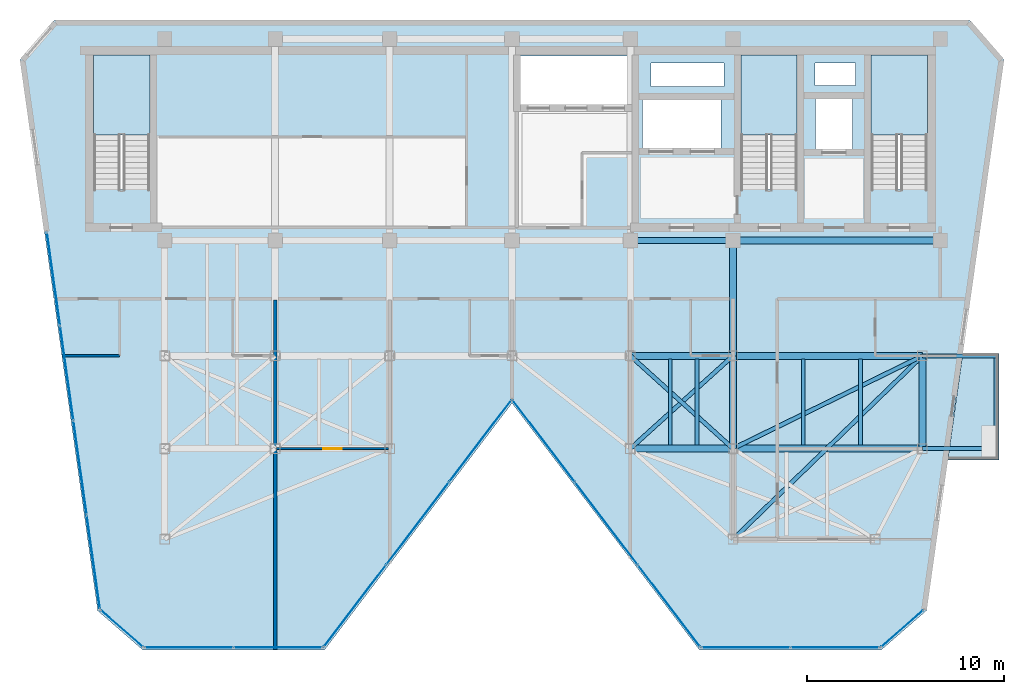
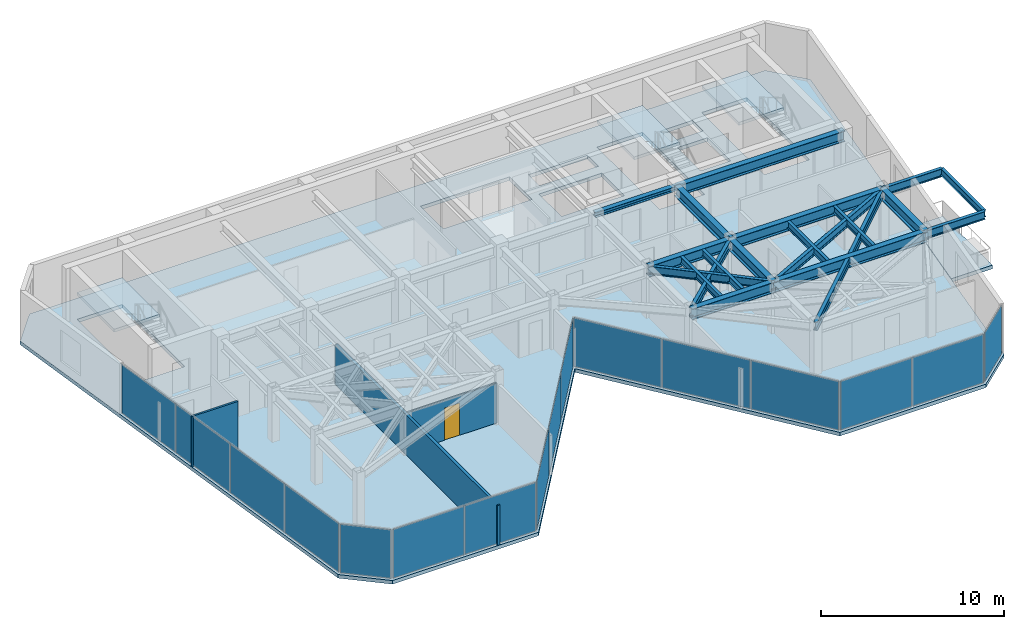
# One storey, part 15 of 20: 20 beams, 16 plates, 5 slabs, 3 walls, 1 door, 1 opening, 10 elements without a shape of their own.
"""IFC4 building model written with IfcOpenShell, lengths in metres."""

from ifc_helpers import new_model, si_unit, direction, frame, frame_2d, origin, origin_2d, place, context, subcontext, project, spatial, polyline, rectangle, i_section, outline, extrude, material, layer, layer_set, material_profile, profile_set, type_object, element, fill, aggregate, save


model = new_model("IFC4")

# Units and contexts
model_context = context("Model", 3, precision=1e-05, world=origin(), true_north=direction((0.0, 1.0)))
body_context = subcontext(model_context, "Body", "Model", "MODEL_VIEW")
ifc_project = project(units=[si_unit("LENGTHUNIT", "METRE"), si_unit("AREAUNIT", "SQUARE_METRE"), si_unit("VOLUMEUNIT", "CUBIC_METRE"), si_unit("PLANEANGLEUNIT", "RADIAN"), si_unit("MASSUNIT", "GRAM", prefix="KILO")], contexts=[model_context])

# Site, building, storey
site_placement = place(None, origin())
site = spatial("IfcSite", under=ifc_project, at=site_placement, CompositionType="ELEMENT")
building_placement = place(site_placement, origin())
building = spatial("IfcBuilding", under=site, at=building_placement, Name="Kravanh Interchange Tower", CompositionType="ELEMENT")
storey_placement = place(building_placement, frame((0.0, 0.0, 234.60009765625)))
storey = spatial("IfcBuildingStorey", under=building, at=storey_placement, Name="L56", CompositionType="ELEMENT", Elevation=234.60009765625)

# Beams
ifc_material_1 = material(Name="Structural Steel S355", Category="steel")
ifc_material_profile_1 = material_profile(ifc_material_1, i_section(OverallWidth=0.35498046875, OverallDepth=0.696044921875, WebThickness=0.015380859375, FlangeThickness=0.02490234375, FilletRadius=0.02392578125, at=origin_2d()), Name="W27X146")
ifc_profile_set_1 = profile_set([ifc_material_profile_1], Name="Structural Steel S355")
beam_type_1 = type_object("IfcBeamType", Name="Floor Beam W27X146 Structural Steel S355", PredefinedType="BEAM", material=ifc_profile_set_1)
beam_1_placement = place(storey_placement, frame((50.800048828125, 31.5, 3.011962890625), z_axis=(1.0, 0.0, 0.0), x_axis=(0.0, 1.0, 0.0)))
element("IfcBeam", 1, at=beam_1_placement, inside=storey, type_object=beam_type_1, Name="L56 Primary Floor Girder 6", PredefinedType="BEAM", context=body_context, shape_type="SweptSolid", body=[
    extrude(i_section(OverallWidth=0.35498046875, OverallDepth=0.696044921875, WebThickness=0.015380859375, FlangeThickness=0.02490234375, FilletRadius=0.02392578125, at=origin_2d()), origin(), (0.0, 0.0, 1.0), 5.199951171875),
])
beam_2_placement = place(storey_placement, frame((56.0, 31.5, 3.011962890625), z_axis=(0.0, -1.0, 0.0), x_axis=(1.0, 0.0, 0.0)))
element("IfcBeam", 2, at=beam_2_placement, inside=storey, type_object=beam_type_1, Name="L56 Primary Floor Girder 9", PredefinedType="BEAM", context=body_context, shape_type="SweptSolid", body=[
    extrude(i_section(OverallWidth=0.35498046875, OverallDepth=0.696044921875, WebThickness=0.015380859375, FlangeThickness=0.02490234375, FilletRadius=0.02392578125, at=origin_2d()), origin(), (0.0, 0.0, 1.0), 4.699951171875),
])
beam_3_placement = place(storey_placement, frame((56.0, 31.5, 3.011962890625), z_axis=(0.0, 1.0, 0.0), x_axis=(-1.0, 0.0, 0.0)))
element("IfcBeam", 3, at=beam_3_placement, inside=storey, type_object=beam_type_1, Name="L56 Primary Floor Girder 10", PredefinedType="BEAM", context=body_context, shape_type="SweptSolid", body=[
    extrude(i_section(OverallWidth=0.35498046875, OverallDepth=0.696044921875, WebThickness=0.015380859375, FlangeThickness=0.02490234375, FilletRadius=0.02392578125, at=origin_2d()), origin(), (0.0, 0.0, 1.0), 5.85009765625),
])
beam_4_placement = place(storey_placement, frame((56.0, 31.5, 3.011962890625), z_axis=(1.0, 0.0, 0.0), x_axis=(0.0, 1.0, 0.0)))
element("IfcBeam", 4, at=beam_4_placement, inside=storey, type_object=beam_type_1, Name="L56 Primary Floor Girder 12", PredefinedType="BEAM", context=body_context, shape_type="SweptSolid", body=[
    extrude(i_section(OverallWidth=0.35498046875, OverallDepth=0.696044921875, WebThickness=0.015380859375, FlangeThickness=0.02490234375, FilletRadius=0.02392578125, at=origin_2d()), origin(), (0.0, 0.0, 1.0), 9.60009765625),
])
beam_5_placement = place(storey_placement, frame((65.60009765625, 31.5, 3.011962890625), z_axis=(0.0, -1.0, 0.0), x_axis=(1.0, 0.0, 0.0)))
element("IfcBeam", 5, at=beam_5_placement, inside=storey, type_object=beam_type_1, Name="L56 Primary Floor Girder 13", PredefinedType="BEAM", context=body_context, shape_type="SweptSolid", body=[
    extrude(i_section(OverallWidth=0.35498046875, OverallDepth=0.696044921875, WebThickness=0.015380859375, FlangeThickness=0.02490234375, FilletRadius=0.02392578125, at=origin_2d()), origin(), (0.0, 0.0, 1.0), 4.699951171875),
])
beam_6_placement = place(storey_placement, frame((50.800048828125, 26.800048828125, 3.011962890625), z_axis=(1.0, 0.0, 0.0), x_axis=(0.0, 1.0, 0.0)))
element("IfcBeam", 6, at=beam_6_placement, inside=storey, type_object=beam_type_1, Name="L56 Primary Floor Girder 31", PredefinedType="BEAM", context=body_context, shape_type="SweptSolid", body=[
    extrude(i_section(OverallWidth=0.35498046875, OverallDepth=0.696044921875, WebThickness=0.015380859375, FlangeThickness=0.02490234375, FilletRadius=0.02392578125, at=origin_2d()), origin(), (0.0, 0.0, 1.0), 5.199951171875),
])
beam_7_placement = place(storey_placement, frame((56.0, 26.800048828125, 3.011962890625), z_axis=(1.0, 0.0, 0.0), x_axis=(0.0, 1.0, 0.0)))
element("IfcBeam", 7, at=beam_7_placement, inside=storey, type_object=beam_type_1, Name="L56 Primary Floor Girder 36", PredefinedType="BEAM", context=body_context, shape_type="SweptSolid", body=[
    extrude(i_section(OverallWidth=0.35498046875, OverallDepth=0.696044921875, WebThickness=0.015380859375, FlangeThickness=0.02490234375, FilletRadius=0.02392578125, at=origin_2d()), origin(), (0.0, 0.0, 1.0), 9.60009765625),
])
beam_8_placement = place(storey_placement, frame((66.5, 37.35009765625, 3.011962890625), z_axis=(-1.0, 0.0, 0.0), x_axis=(0.0, -1.0, 0.0)))
element("IfcBeam", 8, at=beam_8_placement, inside=storey, type_object=beam_type_1, Name="L56 Primary Floor Girder 47", PredefinedType="BEAM", context=body_context, shape_type="SweptSolid", body=[
    extrude(i_section(OverallWidth=0.35498046875, OverallDepth=0.696044921875, WebThickness=0.015380859375, FlangeThickness=0.02490234375, FilletRadius=0.02392578125, at=origin_2d()), origin(), (0.0, 0.0, 1.0), 10.5),
])
ifc_material_2 = material(Name="Structural Steel S355", Category="steel")
ifc_material_profile_2 = material_profile(ifc_material_2, i_section(OverallWidth=0.18994140625, OverallDepth=0.45703125, WebThickness=0.009033203125, FlangeThickness=0.014404296875, FilletRadius=0.01806640625, at=origin_2d()), Name="W18X50")
ifc_profile_set_2 = profile_set([ifc_material_profile_2], Name="Structural Steel S355")
beam_type_2 = type_object("IfcBeamType", Name="Floor Joist W18X50 Structural Steel S355", PredefinedType="JOIST", material=ifc_profile_set_2)
for number, where, z_axis, x_axis, name in (
    (9, (52.81494140625, 26.972412109375, 3.13134765625), (0.0, 1.0, 0.0), (-1.0, 0.0, 0.0), "L56 Secondary Floor Joist 7"),
    (10, (54.179931640625, 26.972412109375, 3.13134765625), (0.0, 1.0, 0.0), (-1.0, 0.0, 0.0), "L56 Secondary Floor Joist 8"),
    (11, (59.554931640625, 26.972412109375, 3.13134765625), (0.0, 1.0, 0.0), (-1.0, 0.0, 0.0), "L56 Secondary Floor Joist 9"),
    (12, (62.4599609375, 26.972412109375, 3.13134765625), (0.0, 1.0, 0.0), (-1.0, 0.0, 0.0), "L56 Secondary Floor Joist 10"),
):
    element("IfcBeam", number, at=place(storey_placement, frame(where, z_axis=z_axis, x_axis=x_axis)), inside=storey, type_object=beam_type_2, Name=name, PredefinedType="JOIST", context=body_context, shape_type="SweptSolid", body=[
        extrude(i_section(OverallWidth=0.18994140625, OverallDepth=0.45703125, WebThickness=0.009033203125, FlangeThickness=0.014404296875, FilletRadius=0.01806640625, at=origin_2d()), origin(), (0.0, 0.0, 1.0), 4.35498046875),
    ])
beam_9_placement = place(storey_placement, frame((69.324951171875, 26.800048828125, 3.13134765625), z_axis=(0.0, 1.0, 0.0), x_axis=(-1.0, 0.0, 0.0)))
element("IfcBeam", 13, at=beam_9_placement, inside=storey, type_object=beam_type_2, Name="L56 Balcony Edge Tie Beam E", PredefinedType="JOIST", context=body_context, shape_type="SweptSolid", body=[
    extrude(i_section(OverallWidth=0.18994140625, OverallDepth=0.45703125, WebThickness=0.009033203125, FlangeThickness=0.014404296875, FilletRadius=0.01806640625, at=origin_2d()), origin(), (0.0, 0.0, 1.0), 4.699951171875),
])
ifc_material_3 = material(Name="Structural Steel S355", Category="steel")
ifc_material_profile_3 = material_profile(ifc_material_3, i_section(OverallWidth=0.304931640625, OverallDepth=0.306884765625, WebThickness=0.010009765625, FlangeThickness=0.015380859375, FilletRadius=0.014892578125, at=origin_2d()), Name="W12X65")
ifc_profile_set_3 = profile_set([ifc_material_profile_3], Name="Structural Steel S355")
beam_type_3 = type_object("IfcBeamType", Name="Floor Lintel W12X65 Structural Steel S355", PredefinedType="LINTEL", material=ifc_profile_set_3)
beam_10_placement = place(storey_placement, frame((50.800048828125, 37.35009765625, 3.206298828125), z_axis=(1.0, 0.0, 0.0), x_axis=(0.0, 1.0, 0.0)))
element("IfcBeam", 14, at=beam_10_placement, inside=storey, type_object=beam_type_3, Name="L56 Core Coupling Lintel 1", PredefinedType="LINTEL", context=body_context, shape_type="SweptSolid", body=[
    extrude(i_section(OverallWidth=0.304931640625, OverallDepth=0.306884765625, WebThickness=0.010009765625, FlangeThickness=0.015380859375, FilletRadius=0.014892578125, at=origin_2d()), origin(), (0.0, 0.0, 1.0), 5.199951171875),
])
ifc_material_4 = material(Name="Structural Steel S355", Category="steel")
ifc_material_profile_4 = material_profile(ifc_material_4, i_section(OverallWidth=0.2099609375, OverallDepth=0.537109375, WebThickness=0.010986328125, FlangeThickness=0.017333984375, FilletRadius=0.02001953125, at=origin_2d()), Name="W21X68")
ifc_profile_set_4 = profile_set([ifc_material_profile_4], Name="Structural Steel S355")
beam_type_4 = type_object("IfcBeamType", Name="Floor Spandrel W21X68 Structural Steel S355", PredefinedType="SPANDREL", material=ifc_profile_set_4)
for number, where, z_axis, x_axis, name in (
    (15, (50.800048828125, 31.5, 3.09130859375), (0.741874009795, -0.670539300557, 0.0), (0.670539300557, 0.741874009795, 0.0), "L56 Perimeter Spandrel 8"),
    (16, (56.0, 31.5, 3.09130859375), (-0.741874009795, -0.670539300557, 0.0), (0.670539300557, -0.741874009795, 0.0), "L56 Perimeter Spandrel 11"),
):
    element("IfcBeam", number, at=place(storey_placement, frame(where, z_axis=z_axis, x_axis=x_axis)), inside=storey, type_object=beam_type_4, Name=name, PredefinedType="SPANDREL", context=body_context, shape_type="SweptSolid", body=[
        extrude(i_section(OverallWidth=0.2099609375, OverallDepth=0.537109375, WebThickness=0.010986328125, FlangeThickness=0.017333984375, FilletRadius=0.02001953125, at=origin_2d()), origin(), (0.0, 0.0, 1.0), 7.00927734375),
    ])
beam_11_placement = place(storey_placement, frame((65.60009765625, 31.5, 3.09130859375), z_axis=(-0.898141688387, -0.439706160499, 0.0), x_axis=(0.439706160499, -0.898141688387, 0.0)))
element("IfcBeam", 17, at=beam_11_placement, inside=storey, type_object=beam_type_4, Name="L56 Perimeter Spandrel 15", PredefinedType="SPANDREL", context=body_context, shape_type="SweptSolid", body=[
    extrude(i_section(OverallWidth=0.2099609375, OverallDepth=0.537109375, WebThickness=0.010986328125, FlangeThickness=0.017333984375, FilletRadius=0.02001953125, at=origin_2d()), origin(), (0.0, 0.0, 1.0), 10.68896484375),
])
beam_12_placement = place(storey_placement, frame((65.60009765625, 31.5, 3.09130859375), z_axis=(-0.718241934329, -0.695793449072, 0.0), x_axis=(0.695793449072, -0.718241934329, 0.0)))
element("IfcBeam", 18, at=beam_12_placement, inside=storey, type_object=beam_type_4, Name="L56 Perimeter Spandrel 16", PredefinedType="SPANDREL", context=body_context, shape_type="SweptSolid", body=[
    extrude(i_section(OverallWidth=0.2099609375, OverallDepth=0.537109375, WebThickness=0.010986328125, FlangeThickness=0.017333984375, FilletRadius=0.02001953125, at=origin_2d()), origin(), (0.0, 0.0, 1.0), 13.3662109375),
])
for number, where, z_axis, x_axis, name in (
    (19, (65.60009765625, 26.800048828125, 3.09130859375), (1.0, 0.0, 0.0), (0.0, 1.0, 0.0), "L56 Balcony Cantilever Outrigger E1"),
    (20, (65.60009765625, 31.5, 3.09130859375), (1.0, 0.0, 0.0), (0.0, 1.0, 0.0), "L56 Balcony Cantilever Outrigger E2"),
):
    element("IfcBeam", number, at=place(storey_placement, frame(where, z_axis=z_axis, x_axis=x_axis)), inside=storey, type_object=beam_type_4, Name=name, PredefinedType="SPANDREL", context=body_context, shape_type="SweptSolid", body=[
        extrude(i_section(OverallWidth=0.2099609375, OverallDepth=0.537109375, WebThickness=0.010986328125, FlangeThickness=0.017333984375, FilletRadius=0.02001953125, at=origin_2d()), origin(), (0.0, 0.0, 1.0), 3.724853515625),
    ])

# Curtain wall, plates
ifc_material_5 = material(Name="Anodised Bronze Aluminium", Category="aluminium")
ifc_layer_1 = layer(ifc_material_5, 0.179931640625)
ifc_layer_set_1 = layer_set([ifc_layer_1], Name="Unitised Curtain Wall System CW-HTL Luxury Hotel")
curtain_wall_type = type_object("IfcCurtainWallType", Name="Unitised Curtain Wall System CW-HTL Luxury Hotel", PredefinedType="NOTDEFINED", material=ifc_layer_set_1)
curtain_wall_1_placement = place(storey_placement, origin())
curtain_wall_1 = element("IfcCurtainWall", 21, at=curtain_wall_1_placement, inside=storey, type_object=curtain_wall_type, Name="L56 Unitised Curtain Wall CW-L56-01", PredefinedType="NOTDEFINED")
ifc_material_6 = material(Name="Low-E Laminated Architectural Glass", Category="glass")
ifc_layer_2 = layer(ifc_material_6, 0.030029296875)
ifc_layer_set_2 = layer_set([ifc_layer_2], Name="Acoustic Laminated Glazing 30mm")
plate_type = type_object("IfcPlateType", Name="Acoustic Laminated Glazing 30mm", PredefinedType="CURTAIN_PANEL", material=ifc_layer_set_2)
plate_1_placement = place(storey_placement, frame((23.578857421875, 21.05126953125, 0.06005859375), z_axis=(0.0, 0.0, 1.0), x_axis=(-0.13917626751, 0.990267623707, 0.0)))
plate_1 = element("IfcPlate", 22, at=plate_1_placement, type_object=plate_type, Name="CW-HTL panel 1.1", PredefinedType="CURTAIN_PANEL", context=body_context, shape_type="SweptSolid", body=[
    extrude(rectangle(XDim=4.74658203125, YDim=0.030029296875, at=origin_2d()), origin(), (0.0, 0.0, 1.0), 3.239990234375),
])
plate_2_placement = place(storey_placement, frame((22.90771484375, 25.825927734375, 0.06005859375), z_axis=(0.0, 0.0, 1.0), x_axis=(-0.13917626751, 0.990267623707, 0.0)))
plate_2 = element("IfcPlate", 23, at=plate_2_placement, type_object=plate_type, Name="CW-HTL panel 2.1", PredefinedType="CURTAIN_PANEL", context=body_context, shape_type="SweptSolid", body=[
    extrude(rectangle(XDim=4.776611328125, YDim=0.030029296875, at=origin_2d()), origin(), (0.0, 0.0, 1.0), 3.239990234375),
])
plate_3_placement = place(storey_placement, frame((22.234619140625, 30.615478515625, 0.06005859375), z_axis=(0.0, 0.0, 1.0), x_axis=(-0.13917626751, 0.990267623707, 0.0)))
plate_3 = element("IfcPlate", 24, at=plate_3_placement, type_object=plate_type, Name="CW-HTL panel 3.1", PredefinedType="CURTAIN_PANEL", context=body_context, shape_type="SweptSolid", body=[
    extrude(rectangle(XDim=4.776611328125, YDim=0.030029296875, at=origin_2d()), origin(), (0.0, 0.0, 1.0), 3.239990234375),
])
plate_4_placement = place(storey_placement, frame((21.5634765625, 35.390380859375, 0.06005859375), z_axis=(0.0, 0.0, 1.0), x_axis=(-0.13917626751, 0.990267623707, 0.0)))
plate_4 = element("IfcPlate", 25, at=plate_4_placement, type_object=plate_type, Name="CW-HTL panel 4.1", PredefinedType="CURTAIN_PANEL", context=body_context, shape_type="SweptSolid", body=[
    extrude(rectangle(XDim=4.74658203125, YDim=0.030029296875, at=origin_2d()), origin(), (0.0, 0.0, 1.0), 3.239990234375),
])
aggregate(curtain_wall_1, [plate_1, plate_2, plate_3, plate_4])

# Curtain wall, plate
curtain_wall_2_placement = place(storey_placement, origin())
curtain_wall_2 = element("IfcCurtainWall", 26, at=curtain_wall_2_placement, inside=storey, type_object=curtain_wall_type, Name="L56 Unitised Curtain Wall CW-L56-02", PredefinedType="NOTDEFINED")
plate_5_placement = place(storey_placement, frame((64.5771484375, 17.680908203125, 0.06005859375), z_axis=(0.0, 0.0, 1.0), x_axis=(-0.75473192521, -0.656033323139, 0.0)))
plate_5 = element("IfcPlate", 27, at=plate_5_placement, type_object=plate_type, Name="CW-HTL panel 1.1", PredefinedType="CURTAIN_PANEL", context=body_context, shape_type="SweptSolid", body=[
    extrude(rectangle(XDim=2.80908203125, YDim=0.030029296875, at=origin_2d()), origin(), (0.0, 0.0, 1.0), 3.239990234375),
])
aggregate(curtain_wall_2, [plate_5])

# Curtain wall, plates
curtain_wall_3_placement = place(storey_placement, origin())
curtain_wall_3 = element("IfcCurtainWall", 28, at=curtain_wall_3_placement, inside=storey, type_object=curtain_wall_type, Name="L56 Unitised Curtain Wall CW-L56-03", PredefinedType="NOTDEFINED")
plate_6_placement = place(storey_placement, frame((61.1787109375, 16.719970703125, 0.06005859375), z_axis=(0.0, 0.0, 1.0), x_axis=(-1.0, 0.0, 0.0)))
plate_6 = element("IfcPlate", 29, at=plate_6_placement, type_object=plate_type, Name="CW-HTL panel 1.1", PredefinedType="CURTAIN_PANEL", context=body_context, shape_type="SweptSolid", body=[
    extrude(rectangle(XDim=4.466064453125, YDim=0.030029296875, at=origin_2d()), origin(), (0.0, 0.0, 1.0), 3.239990234375),
])
plate_7_placement = place(storey_placement, frame((56.652587890625, 16.719970703125, 0.06005859375), z_axis=(0.0, 0.0, 1.0), x_axis=(-1.0, 0.0, 0.0)))
plate_7 = element("IfcPlate", 30, at=plate_7_placement, type_object=plate_type, Name="CW-HTL panel 2.1", PredefinedType="CURTAIN_PANEL", context=body_context, shape_type="SweptSolid", body=[
    extrude(rectangle(XDim=4.466064453125, YDim=0.030029296875, at=origin_2d()), origin(), (0.0, 0.0, 1.0), 3.239990234375),
])
aggregate(curtain_wall_3, [plate_6, plate_7])

curtain_wall_4_placement = place(storey_placement, origin())
curtain_wall_4 = element("IfcCurtainWall", 31, at=curtain_wall_4_placement, inside=storey, type_object=curtain_wall_type, Name="L56 Unitised Curtain Wall CW-L56-04", PredefinedType="NOTDEFINED")
plate_8_placement = place(storey_placement, frame((52.757080078125, 18.828369140625, 0.06005859375), z_axis=(0.0, 0.0, 1.0), x_axis=(-0.605082946564, 0.79616243806, 0.0)))
plate_8 = element("IfcPlate", 32, at=plate_8_placement, type_object=plate_type, Name="CW-HTL panel 1.1", PredefinedType="CURTAIN_PANEL", context=body_context, shape_type="SweptSolid", body=[
    extrude(rectangle(XDim=5.17626953125, YDim=0.030029296875, at=origin_2d()), origin(), (0.0, 0.0, 1.0), 3.239990234375),
])
plate_9_placement = place(storey_placement, frame((49.579833984375, 23.009033203125, 0.06005859375), z_axis=(0.0, 0.0, 1.0), x_axis=(-0.605082946564, 0.79616243806, 0.0)))
plate_9 = element("IfcPlate", 33, at=plate_9_placement, type_object=plate_type, Name="CW-HTL panel 2.1", PredefinedType="CURTAIN_PANEL", context=body_context, shape_type="SweptSolid", body=[
    extrude(rectangle(XDim=5.206298828125, YDim=0.030029296875, at=origin_2d()), origin(), (0.0, 0.0, 1.0), 3.239990234375),
])
plate_10_placement = place(storey_placement, frame((46.40234375, 27.18994140625, 0.06005859375), z_axis=(0.0, 0.0, 1.0), x_axis=(-0.605082946564, 0.79616243806, 0.0)))
plate_10 = element("IfcPlate", 34, at=plate_10_placement, type_object=plate_type, Name="CW-HTL panel 3.1", PredefinedType="CURTAIN_PANEL", context=body_context, shape_type="SweptSolid", body=[
    extrude(rectangle(XDim=5.17626953125, YDim=0.030029296875, at=origin_2d()), origin(), (0.0, 0.0, 1.0), 3.239990234375),
])
aggregate(curtain_wall_4, [plate_8, plate_9, plate_10])

curtain_wall_5_placement = place(storey_placement, origin())
curtain_wall_5 = element("IfcCurtainWall", 35, at=curtain_wall_5_placement, inside=storey, type_object=curtain_wall_type, Name="L56 Unitised Curtain Wall CW-L56-05", PredefinedType="NOTDEFINED")
plate_11_placement = place(storey_placement, frame((43.19775390625, 27.18994140625, 0.06005859375), z_axis=(0.0, 0.0, 1.0), x_axis=(-0.605082946564, -0.79616243806, 0.0)))
plate_11 = element("IfcPlate", 36, at=plate_11_placement, type_object=plate_type, Name="CW-HTL panel 1.1", PredefinedType="CURTAIN_PANEL", context=body_context, shape_type="SweptSolid", body=[
    extrude(rectangle(XDim=5.17626953125, YDim=0.030029296875, at=origin_2d()), origin(), (0.0, 0.0, 1.0), 3.239990234375),
])
plate_12_placement = place(storey_placement, frame((40.020263671875, 23.009033203125, 0.06005859375), z_axis=(0.0, 0.0, 1.0), x_axis=(-0.605082946564, -0.79616243806, 0.0)))
plate_12 = element("IfcPlate", 37, at=plate_12_placement, type_object=plate_type, Name="CW-HTL panel 2.1", PredefinedType="CURTAIN_PANEL", context=body_context, shape_type="SweptSolid", body=[
    extrude(rectangle(XDim=5.206298828125, YDim=0.030029296875, at=origin_2d()), origin(), (0.0, 0.0, 1.0), 3.239990234375),
])
plate_13_placement = place(storey_placement, frame((36.8427734375, 18.828369140625, 0.06005859375), z_axis=(0.0, 0.0, 1.0), x_axis=(-0.605082946564, -0.79616243806, 0.0)))
plate_13 = element("IfcPlate", 38, at=plate_13_placement, type_object=plate_type, Name="CW-HTL panel 3.1", PredefinedType="CURTAIN_PANEL", context=body_context, shape_type="SweptSolid", body=[
    extrude(rectangle(XDim=5.17626953125, YDim=0.030029296875, at=origin_2d()), origin(), (0.0, 0.0, 1.0), 3.239990234375),
])
aggregate(curtain_wall_5, [plate_11, plate_12, plate_13])

curtain_wall_6_placement = place(storey_placement, origin())
curtain_wall_6 = element("IfcCurtainWall", 39, at=curtain_wall_6_placement, inside=storey, type_object=curtain_wall_type, Name="L56 Unitised Curtain Wall CW-L56-06", PredefinedType="NOTDEFINED")
plate_14_placement = place(storey_placement, frame((32.947509765625, 16.719970703125, 0.06005859375), z_axis=(0.0, 0.0, 1.0), x_axis=(-1.0, 0.0, 0.0)))
plate_14 = element("IfcPlate", 40, at=plate_14_placement, type_object=plate_type, Name="CW-HTL panel 1.1", PredefinedType="CURTAIN_PANEL", context=body_context, shape_type="SweptSolid", body=[
    extrude(rectangle(XDim=4.466064453125, YDim=0.030029296875, at=origin_2d()), origin(), (0.0, 0.0, 1.0), 3.239990234375),
])
plate_15_placement = place(storey_placement, frame((28.42138671875, 16.719970703125, 0.06005859375), z_axis=(0.0, 0.0, 1.0), x_axis=(-1.0, 0.0, 0.0)))
plate_15 = element("IfcPlate", 41, at=plate_15_placement, type_object=plate_type, Name="CW-HTL panel 2.1", PredefinedType="CURTAIN_PANEL", context=body_context, shape_type="SweptSolid", body=[
    extrude(rectangle(XDim=4.466064453125, YDim=0.030029296875, at=origin_2d()), origin(), (0.0, 0.0, 1.0), 3.239990234375),
])
aggregate(curtain_wall_6, [plate_14, plate_15])

# Curtain wall, plate
curtain_wall_7_placement = place(storey_placement, origin())
curtain_wall_7 = element("IfcCurtainWall", 42, at=curtain_wall_7_placement, inside=storey, type_object=curtain_wall_type, Name="L56 Unitised Curtain Wall CW-L56-07", PredefinedType="NOTDEFINED")
plate_16_placement = place(storey_placement, frame((25.02294921875, 17.680908203125, 0.06005859375), z_axis=(0.0, 0.0, 1.0), x_axis=(-0.75473192521, 0.656033323139, 0.0)))
plate_16 = element("IfcPlate", 43, at=plate_16_placement, type_object=plate_type, Name="CW-HTL panel 1.1", PredefinedType="CURTAIN_PANEL", context=body_context, shape_type="SweptSolid", body=[
    extrude(rectangle(XDim=2.80908203125, YDim=0.030029296875, at=origin_2d()), origin(), (0.0, 0.0, 1.0), 3.239990234375),
])
aggregate(curtain_wall_7, [plate_16])

# Slab
ifc_material_7 = material(Name="Concrete C50/60", Category="concrete")
ifc_layer_3 = layer(ifc_material_7, 0.239990234375)
ifc_layer_set_3 = layer_set([ifc_layer_3], Name="Composite Floor Slab Concrete C50/60 240mm")
slab_type_1 = type_object("IfcSlabType", Name="Composite Floor Slab Concrete C50/60 240mm", PredefinedType="FLOOR", material=ifc_layer_set_3)
slab_1_placement = place(storey_placement, frame((0.0, 0.0, -0.239990234375)))
element("IfcSlab", 44, at=slab_1_placement, inside=storey, type_object=slab_type_1, Name="L56 Structural Floor Slab", PredefinedType="FLOOR", context=body_context, shape_type="SweptSolid", body=[
    extrude(outline(polyline([(23.804931640625, 18.58056640625), (26.083251953125, 16.60009765625), (35.300048828125, 16.60009765625), (44.800048828125, 29.10009765625), (54.300048828125, 16.60009765625), (63.5166015625, 16.60009765625), (65.795166015625, 18.58056640625), (69.7216796875, 46.51953125), (68.0, 48.5), (21.60009765625, 48.5), (19.87841796875, 46.51953125), (23.804931640625, 18.58056640625)]), holes=[polyline([(65.85009765625, 39.925048828125), (65.85009765625, 46.75), (63.0, 46.75), (63.0, 39.925048828125), (65.85009765625, 39.925048828125)]), polyline([(59.25, 39.925048828125), (59.25, 46.75), (56.39990234375, 46.75), (56.39990234375, 39.925048828125), (59.25, 39.925048828125)]), polyline([(26.449951171875, 39.925048828125), (26.449951171875, 46.75), (23.60009765625, 46.75), (23.60009765625, 39.925048828125), (26.449951171875, 39.925048828125)]), polyline([(45.239990234375, 44.219970703125), (50.840087890625, 44.219970703125), (50.840087890625, 46.699951171875), (45.239990234375, 46.699951171875), (45.239990234375, 44.219970703125)]), polyline([(51.419921875, 42.02001953125), (55.3798828125, 42.02001953125), (55.3798828125, 44.47998046875), (51.419921875, 44.47998046875), (51.419921875, 42.02001953125)]), polyline([(60.179931640625, 41.97998046875), (62.06005859375, 41.97998046875), (62.06005859375, 44.52001953125), (60.179931640625, 44.52001953125), (60.179931640625, 41.97998046875)]), polyline([(60.14990234375, 45.199951171875), (62.199951171875, 45.199951171875), (62.199951171875, 46.35009765625), (60.14990234375, 46.35009765625), (60.14990234375, 45.199951171875)]), polyline([(51.85009765625, 45.14990234375), (55.550048828125, 45.14990234375), (55.550048828125, 46.35009765625), (51.85009765625, 46.35009765625), (51.85009765625, 45.14990234375)])]), origin(), (0.0, 0.0, 1.0), 0.239990234375),
])

# Stair, slab
ifc_material_8 = material(Name="Concrete C50/60", Category="concrete")
stair_type = type_object("IfcStairType", Name="Core Fire Exit Dogleg Stair Concrete C50/60", PredefinedType="HALF_TURN_STAIR", material=ifc_material_8)
stair_1_placement = place(storey_placement, origin())
stair_1 = element("IfcStair", 45, at=stair_1_placement, inside=storey, type_object=stair_type, Name="L56 Exit Stair ST1", PredefinedType="HALF_TURN_STAIR")
ifc_material_9 = material(Name="Concrete C50/60", Category="concrete")
ifc_layer_4 = layer(ifc_material_9, 0.199951171875)
ifc_layer_set_4 = layer_set([ifc_layer_4], Name="Concrete C50/60 Stair Half-Landing Slab 200mm")
slab_type_2 = type_object("IfcSlabType", Name="Concrete C50/60 Stair Half-Landing Slab 200mm", PredefinedType="LANDING", material=ifc_layer_set_4)
slab_2_placement = place(storey_placement, frame((0.0, 0.0, 1.599853515625)))
slab_2 = element("IfcSlab", 46, at=slab_2_placement, type_object=slab_type_2, Name="ST1 landing 1", PredefinedType="LANDING", context=body_context, shape_type="SweptSolid", body=[
    extrude(outline(polyline([(65.85009765625, 42.699951171875), (65.85009765625, 46.75), (63.0, 46.75), (63.0, 42.699951171875), (65.85009765625, 42.699951171875)])), origin(), (0.0, 0.0, 1.0), 0.199951171875),
])
aggregate(stair_1, [slab_2])

stair_2_placement = place(storey_placement, origin())
stair_2 = element("IfcStair", 47, at=stair_2_placement, inside=storey, type_object=stair_type, Name="L56 Exit Stair ST2", PredefinedType="HALF_TURN_STAIR")
slab_3_placement = place(storey_placement, frame((0.0, 0.0, 1.599853515625)))
slab_3 = element("IfcSlab", 48, at=slab_3_placement, type_object=slab_type_2, Name="ST2 landing 1", PredefinedType="LANDING", context=body_context, shape_type="SweptSolid", body=[
    extrude(outline(polyline([(59.25, 42.699951171875), (59.25, 46.75), (56.39990234375, 46.75), (56.39990234375, 42.699951171875), (59.25, 42.699951171875)])), origin(), (0.0, 0.0, 1.0), 0.199951171875),
])
aggregate(stair_2, [slab_3])

stair_3_placement = place(storey_placement, origin())
stair_3 = element("IfcStair", 49, at=stair_3_placement, inside=storey, type_object=stair_type, Name="L56 Exit Stair ST3", PredefinedType="HALF_TURN_STAIR")
slab_4_placement = place(storey_placement, frame((0.0, 0.0, 1.599853515625)))
slab_4 = element("IfcSlab", 50, at=slab_4_placement, type_object=slab_type_2, Name="ST3 landing 1", PredefinedType="LANDING", context=body_context, shape_type="SweptSolid", body=[
    extrude(outline(polyline([(26.449951171875, 42.699951171875), (26.449951171875, 46.75), (23.60009765625, 46.75), (23.60009765625, 42.699951171875), (26.449951171875, 42.699951171875)])), origin(), (0.0, 0.0, 1.0), 0.199951171875),
])
aggregate(stair_3, [slab_4])

# Slab
ifc_material_10 = material(Name="Concrete C50/60", Category="concrete")
ifc_layer_5 = layer(ifc_material_10, 0.199951171875)
ifc_layer_set_5 = layer_set([ifc_layer_5], Name="Planted Tree Balcony Slab Concrete C50/60 200mm")
slab_type_3 = type_object("IfcSlabType", Name="Planted Tree Balcony Slab Concrete C50/60 200mm", PredefinedType="USERDEFINED", material=ifc_layer_set_5)
slab_5_placement = place(storey_placement, frame((0.0, 0.0, -0.239990234375)))
element("IfcSlab", 51, at=slab_5_placement, inside=storey, type_object=slab_type_3, Name="L56 East Tree Planter Balcony Slab", ObjectType="BALCONY", PredefinedType="USERDEFINED", context=body_context, shape_type="SweptSolid", body=[
    extrude(outline(polyline([(69.47900390625, 31.6298828125), (69.47900390625, 26.22998046875), (66.88525390625, 26.22998046875), (67.644287109375, 31.6298828125), (69.47900390625, 31.6298828125)])), origin(), (0.0, 0.0, 1.0), 0.239990234375),
])

# Wall
ifc_material_11 = material(Name="Double Acoustic Gypsum Board and Mineral Wool")
ifc_layer_6 = layer(ifc_material_11, 0.1201171875)
ifc_layer_set_6 = layer_set([ifc_layer_6], Name="Acoustic Office Drywall Partition 120mm")
wall_type_1 = type_object("IfcWallType", Name="Acoustic Office Drywall Partition 120mm", PredefinedType="PARTITIONING", material=ifc_layer_set_6)
wall_1_placement = place(storey_placement, frame((22.00439453125, 31.5, 0.0), z_axis=(0.0, 0.0, 1.0), x_axis=(1.0, 0.0, 0.0)))
element("IfcWall", 52, at=wall_1_placement, inside=storey, type_object=wall_type_1, Name="L56 Interior Partition 16", PredefinedType="PARTITIONING", context=body_context, shape_type="SweptSolid", body=[
    extrude(rectangle(XDim=2.91552734375, YDim=0.1201171875, at=frame_2d((1.457763671875, 0.0))), origin(), (0.0, 0.0, 1.0), 3.35986328125),
])

# Wall, opening, door
ifc_material_12 = material(Name="Moisture-Resistant Gypsum Board and Mineral Wool")
ifc_layer_7 = layer(ifc_material_12, 0.10009765625)
ifc_layer_set_7 = layer_set([ifc_layer_7], Name="En-Suite Moisture-Resistant Partition 100mm")
wall_type_2 = type_object("IfcWallType", Name="En-Suite Moisture-Resistant Partition 100mm", PredefinedType="PARTITIONING", material=ifc_layer_set_7)
wall_2_placement = place(storey_placement, frame((32.867919921875, 26.800048828125, 0.0), z_axis=(0.0, 0.0, 1.0), x_axis=(1.0, 0.0, 0.0)))
wall_2 = element("IfcWall", 53, at=wall_2_placement, inside=storey, type_object=wall_type_2, Name="L56 Interior Partition 24", PredefinedType="PARTITIONING", context=body_context, shape_type="SweptSolid", body=[
    extrude(rectangle(XDim=5.6640625, YDim=0.10009765625, at=frame_2d((2.83203125, 0.0))), origin(), (0.0, 0.0, 1.0), 2.663818359375),
])
opening_placement = place(wall_2_placement, frame((2.35693359375, 0.0, 0.0)))
opening = element("IfcOpeningElement", 54, at=opening_placement, cuts=wall_2, Name="Opening D-95", PredefinedType="OPENING", context=body_context, shape_type="SweptSolid", body=[
    extrude(rectangle(XDim=0.949951171875, YDim=2.14990234375, at=frame_2d((0.47509765625, 1.074951171875))), frame((0.0, 0.06005859375, 0.0), z_axis=(0.0, -1.0, 0.0), x_axis=(1.0, 0.0, 0.0)), (0.0, 0.0, 1.0), 0.1201171875),
])
ifc_material_13 = material(Name="Laminate Solid-Core Timber", Category="wood")
door_type = type_object("IfcDoorType", Name="Accessible Restroom Door 950x2150", OperationType="NOTDEFINED", PredefinedType="DOOR", material=ifc_material_13)
door_placement = place(opening_placement, origin())
door = element("IfcDoor", 55, at=door_placement, inside=storey, type_object=door_type, Name="L56 Sunroom Alcove Inner Door", OperationType="SINGLE_SWING_RIGHT", OverallHeight=2.14990234375, OverallWidth=0.949951171875, PredefinedType="DOOR", context=body_context, shape_type="SweptSolid", body=[
    extrude(rectangle(XDim=0.949951171875, YDim=2.14990234375, at=frame_2d((0.47509765625, 1.074951171875))), frame((0.0, 0.02490234375, 0.0), z_axis=(0.0, -1.0, 0.0), x_axis=(1.0, 0.0, 0.0)), (0.0, 0.0, 1.0), 0.050048828125),
])
fill(opening, door)

# Wall
ifc_material_14 = material(Name="Autoclaved Aerated Concrete C30/37 Blockwork", Category="masonry")
ifc_layer_8 = layer(ifc_material_14, 0.179931640625)
ifc_layer_set_8 = layer_set([ifc_layer_8], Name="Fire-Rated Lobby and Corridor Wall Concrete C30/37 180mm")
wall_type_3 = type_object("IfcWallType", Name="Fire-Rated Lobby and Corridor Wall Concrete C30/37 180mm", PredefinedType="STANDARD", material=ifc_layer_set_8)
wall_3_placement = place(storey_placement, frame((32.800048828125, 16.614990234375, 0.0), z_axis=(0.0, 0.0, 1.0), x_axis=(0.0, 1.0, 0.0)))
element("IfcWall", 56, at=wall_3_placement, inside=storey, type_object=wall_type_3, Name="L56 Interior Partition 23", PredefinedType="STANDARD", context=body_context, shape_type="SweptSolid", body=[
    extrude(rectangle(XDim=17.717041015625, YDim=0.179931640625, at=frame_2d((8.8583984375, 0.0))), origin(), (0.0, 0.0, 1.0), 2.663818359375),
])

save(model, "model.ifc")
